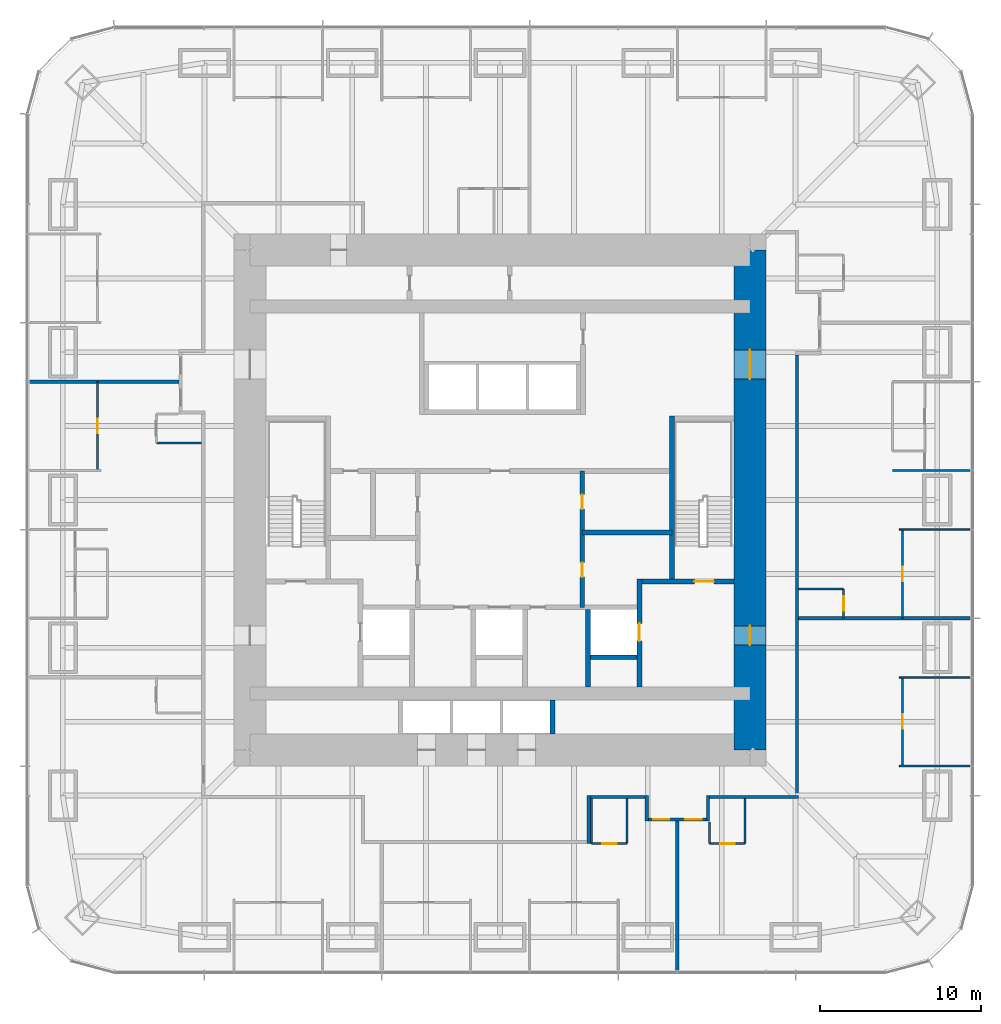
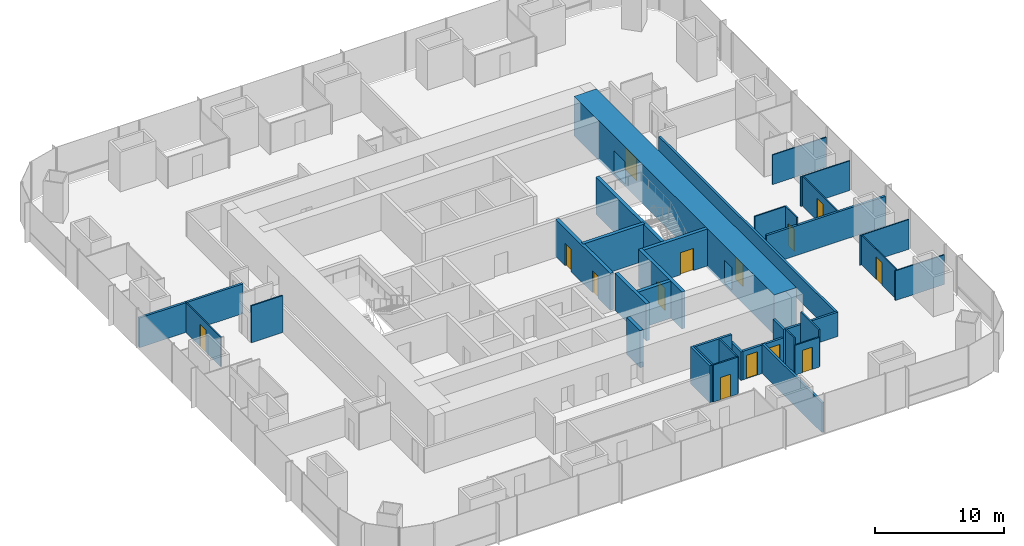
# One storey, part 10 of 13: 35 walls, 14 doors, 14 openings.
"""IFC4 building model written with IfcOpenShell, lengths in metres."""

from ifc_helpers import new_model, si_unit, direction, frame, frame_2d, origin, place, context, subcontext, project, spatial, rectangle, extrude, material, layer, layer_set, type_object, element, fill, save


model = new_model("IFC4")

# Units and contexts
model_context = context("Model", 3, precision=1e-05, world=origin(), true_north=direction((0.0, 1.0)))
body_context = subcontext(model_context, "Body", "Model", "MODEL_VIEW")
ifc_project = project(units=[si_unit("LENGTHUNIT", "METRE"), si_unit("AREAUNIT", "SQUARE_METRE"), si_unit("VOLUMEUNIT", "CUBIC_METRE"), si_unit("PLANEANGLEUNIT", "RADIAN"), si_unit("MASSUNIT", "GRAM", prefix="KILO")], contexts=[model_context])

# Site, building, storey
site_placement = place(None, origin())
site = spatial("IfcSite", under=ifc_project, at=site_placement, CompositionType="ELEMENT")
building_placement = place(site_placement, origin())
building = spatial("IfcBuilding", under=site, at=building_placement, Name="Khuree Lantern Residences", CompositionType="ELEMENT")
storey_placement = place(building_placement, frame((0.0, 0.0, 118.5)))
storey = spatial("IfcBuildingStorey", under=building, at=storey_placement, Name="L29", CompositionType="ELEMENT", Elevation=118.5)

# Wall, opening, door
ifc_material_1 = material(Name="Moisture-resistant gypsum board on steel studs", Category="steel")
ifc_layer_1 = layer(ifc_material_1, 0.125)
ifc_layer_set_1 = layer_set([ifc_layer_1], Name="BATHROOM WALL BTW125")
wall_type_1 = type_object("IfcWallType", Name="BATHROOM WALL BTW125", PredefinedType="PARTITIONING", material=ifc_layer_set_1)
wall_1_placement = place(storey_placement, frame((21.300048828125, -7.327880859375, 0.0), z_axis=(0.0, 0.0, 1.0), x_axis=(0.0, 1.0, 0.0)))
wall_1 = element("IfcWall", 1, at=wall_1_placement, inside=storey, type_object=wall_type_1, Name="L29 BATHROOM WALL 01", PredefinedType="PARTITIONING", context=body_context, shape_type="SweptSolid", body=[
    extrude(rectangle(XDim=1.7998046875, YDim=0.125, at=frame_2d((0.89990234375, 0.0))), origin(), (0.0, 0.0, 1.0), 3.5),
])
opening_1_placement = place(wall_1_placement, frame((0.449951171875, 0.0, 0.0)))
opening_1 = element("IfcOpeningElement", 2, at=opening_1_placement, cuts=wall_1, Name="Opening 29-028", PredefinedType="OPENING", context=body_context, shape_type="SweptSolid", body=[
    extrude(rectangle(XDim=0.89990234375, YDim=2.10009765625, at=frame_2d((0.449951171875, 1.050048828125))), frame((0.0, 0.072509765625, 0.0), z_axis=(0.0, -1.0, 0.0), x_axis=(1.0, 0.0, 0.0)), (0.0, 0.0, 1.0), 0.14501953125),
])
ifc_material_2 = material(Name="Timber door leaf in hardwood frame", Category="wood")
door_type_1 = type_object("IfcDoorType", Name="BATHROOM DOOR 900X2100", OperationType="SINGLE_SWING_LEFT", PredefinedType="DOOR", material=ifc_material_2)
door_1_placement = place(opening_1_placement, origin())
door_1 = element("IfcDoor", 3, at=door_1_placement, inside=storey, type_object=door_type_1, Name="Bathroom door 29-028", OperationType="SINGLE_SWING_LEFT", OverallHeight=2.10009765625, OverallWidth=0.89990234375, PredefinedType="DOOR", context=body_context, shape_type="SweptSolid", body=[
    extrude(rectangle(XDim=0.89990234375, YDim=2.10009765625, at=frame_2d((0.449951171875, 1.050048828125))), frame((0.0, 0.02490234375, 0.0), z_axis=(0.0, -1.0, 0.0), x_axis=(1.0, 0.0, 0.0)), (0.0, 0.0, 1.0), 0.050048828125),
])
fill(opening_1, door_1)

# Walls
for number, where, z_axis, x_axis, name in (
    (4, (18.5, -5.528076171875, 0.0), (0.0, 0.0, 1.0), (1.0, 0.0, 0.0), "L29 BATHROOM WALL 01"),
    (5, (-18.5, 3.528076171875, 0.0), (0.0, 0.0, 1.0), (-1.0, 0.0, 0.0), "L29 BATHROOM WALL 04"),
):
    element("IfcWall", number, at=place(storey_placement, frame(where, z_axis=z_axis, x_axis=x_axis)), inside=storey, type_object=wall_type_1, Name=name, PredefinedType="PARTITIONING", context=body_context, shape_type="SweptSolid", body=[
        extrude(rectangle(XDim=2.800048828125, YDim=0.125, at=frame_2d((1.39990234375, 0.0))), origin(), (0.0, 0.0, 1.0), 3.5),
    ])

# Wall, opening, door
wall_2_placement = place(storey_placement, frame((5.68359375, -21.300048828125, 0.0), z_axis=(0.0, 0.0, 1.0), x_axis=(1.0, 0.0, 0.0)))
wall_2 = element("IfcWall", 6, at=wall_2_placement, inside=storey, type_object=wall_type_1, Name="L29 BATHROOM WALL 06", PredefinedType="PARTITIONING", context=body_context, shape_type="SweptSolid", body=[
    extrude(rectangle(XDim=2.199951171875, YDim=0.125, at=frame_2d((1.10009765625, 0.0))), origin(), (0.0, 0.0, 1.0), 3.5),
])
opening_2_placement = place(wall_2_placement, frame((0.64990234375, 0.0, 0.0)))
opening_2 = element("IfcOpeningElement", 7, at=opening_2_placement, cuts=wall_2, Name="Opening 29-049", PredefinedType="OPENING", context=body_context, shape_type="SweptSolid", body=[
    extrude(rectangle(XDim=0.89990234375, YDim=2.10009765625, at=frame_2d((0.449951171875, 1.050048828125))), frame((0.0, 0.072509765625, 0.0), z_axis=(0.0, -1.0, 0.0), x_axis=(1.0, 0.0, 0.0)), (0.0, 0.0, 1.0), 0.14501953125),
])
door_2_placement = place(opening_2_placement, origin())
door_2 = element("IfcDoor", 8, at=door_2_placement, inside=storey, type_object=door_type_1, Name="Bathroom door 29-049", OperationType="SINGLE_SWING_LEFT", OverallHeight=2.10009765625, OverallWidth=0.89990234375, PredefinedType="DOOR", context=body_context, shape_type="SweptSolid", body=[
    extrude(rectangle(XDim=0.89990234375, YDim=2.10009765625, at=frame_2d((0.449951171875, 1.050048828125))), frame((0.0, 0.02490234375, 0.0), z_axis=(0.0, -1.0, 0.0), x_axis=(1.0, 0.0, 0.0)), (0.0, 0.0, 1.0), 0.050048828125),
])
fill(opening_2, door_2)

# Walls
for number, where, z_axis, x_axis, name in (
    (9, (5.68359375, -18.5, 0.0), (0.0, 0.0, 1.0), (0.0, -1.0, 0.0), "L29 BATHROOM WALL 06"),
    (10, (7.883544921875, -18.5, 0.0), (0.0, 0.0, 1.0), (0.0, -1.0, 0.0), "L29 BATHROOM WALL 06"),
):
    element("IfcWall", number, at=place(storey_placement, frame(where, z_axis=z_axis, x_axis=x_axis)), inside=storey, type_object=wall_type_1, Name=name, PredefinedType="PARTITIONING", context=body_context, shape_type="SweptSolid", body=[
        extrude(rectangle(XDim=2.800048828125, YDim=0.125, at=frame_2d((1.39990234375, 0.0))), origin(), (0.0, 0.0, 1.0), 3.5),
    ])

# Wall, opening, door
wall_3_placement = place(storey_placement, frame((12.991943359375, -21.300048828125, 0.0), z_axis=(0.0, 0.0, 1.0), x_axis=(1.0, 0.0, 0.0)))
wall_3 = element("IfcWall", 11, at=wall_3_placement, inside=storey, type_object=wall_type_1, Name="L29 BATHROOM WALL 07", PredefinedType="PARTITIONING", context=body_context, shape_type="SweptSolid", body=[
    extrude(rectangle(XDim=2.199951171875, YDim=0.125, at=frame_2d((1.10009765625, 0.0))), origin(), (0.0, 0.0, 1.0), 2.81005859375),
])
opening_3_placement = place(wall_3_placement, frame((0.64990234375, 0.0, 0.0)))
opening_3 = element("IfcOpeningElement", 12, at=opening_3_placement, cuts=wall_3, Name="Opening 29-052", PredefinedType="OPENING", context=body_context, shape_type="SweptSolid", body=[
    extrude(rectangle(XDim=0.89990234375, YDim=2.10009765625, at=frame_2d((0.449951171875, 1.050048828125))), frame((0.0, 0.072509765625, 0.0), z_axis=(0.0, -1.0, 0.0), x_axis=(1.0, 0.0, 0.0)), (0.0, 0.0, 1.0), 0.14501953125),
])
door_3_placement = place(opening_3_placement, origin())
door_3 = element("IfcDoor", 13, at=door_3_placement, inside=storey, type_object=door_type_1, Name="Bathroom door 29-052", OperationType="SINGLE_SWING_LEFT", OverallHeight=2.10009765625, OverallWidth=0.89990234375, PredefinedType="DOOR", context=body_context, shape_type="SweptSolid", body=[
    extrude(rectangle(XDim=0.89990234375, YDim=2.10009765625, at=frame_2d((0.449951171875, 1.050048828125))), frame((0.0, 0.02490234375, 0.0), z_axis=(0.0, -1.0, 0.0), x_axis=(1.0, 0.0, 0.0)), (0.0, 0.0, 1.0), 0.050048828125),
])
fill(opening_3, door_3)

# Walls
wall_4_placement = place(storey_placement, frame((12.991943359375, -19.969970703125, 0.0), z_axis=(0.0, 0.0, 1.0), x_axis=(0.0, -1.0, 0.0)))
element("IfcWall", 14, at=wall_4_placement, inside=storey, type_object=wall_type_1, Name="L29 BATHROOM WALL 07", PredefinedType="PARTITIONING", context=body_context, shape_type="SweptSolid", body=[
    extrude(rectangle(XDim=1.330078125, YDim=0.125, at=frame_2d((0.6650390625, 0.0))), origin(), (0.0, 0.0, 1.0), 3.5),
])
wall_5_placement = place(storey_placement, frame((15.19189453125, -18.5, 0.0), z_axis=(0.0, 0.0, 1.0), x_axis=(0.0, -1.0, 0.0)))
element("IfcWall", 15, at=wall_5_placement, inside=storey, type_object=wall_type_1, Name="L29 BATHROOM WALL 07", PredefinedType="PARTITIONING", context=body_context, shape_type="SweptSolid", body=[
    extrude(rectangle(XDim=2.800048828125, YDim=0.125, at=frame_2d((1.39990234375, 0.0))), origin(), (0.0, 0.0, 1.0), 3.5),
])

# Wall, opening, door
ifc_material_3 = material(Name="Dense concrete blockwork", Category="masonry")
ifc_layer_2 = layer(ifc_material_3, 0.300048828125)
ifc_layer_set_2 = layer_set([ifc_layer_2], Name="CORE PARTITION WALL CPW300 EI 120")
wall_type_2 = type_object("IfcWallType", Name="CORE PARTITION WALL CPW300 EI 120", PredefinedType="PARTITIONING", material=ifc_layer_set_2)
wall_6_placement = place(storey_placement, frame((8.64990234375, -11.60009765625, 0.0), z_axis=(0.0, 0.0, 1.0), x_axis=(0.0, 1.0, 0.0)))
wall_6 = element("IfcWall", 16, at=wall_6_placement, inside=storey, type_object=wall_type_2, Name="L29 CORE WALL FL2E", PredefinedType="PARTITIONING", context=body_context, shape_type="SweptSolid", body=[
    extrude(rectangle(XDim=6.7001953125, YDim=0.300048828125, at=frame_2d((3.35009765625, 0.0))), origin(), (0.0, 0.0, 1.0), 3.5),
])
opening_4_placement = place(wall_6_placement, frame((2.85009765625, 0.0, 0.0)))
opening_4 = element("IfcOpeningElement", 17, at=opening_4_placement, cuts=wall_6, Name="Opening 29-008", PredefinedType="OPENING", context=body_context, shape_type="SweptSolid", body=[
    extrude(rectangle(XDim=1.10009765625, YDim=2.10009765625, at=frame_2d((0.550048828125, 1.050048828125))), frame((0.0, 0.16015625, 0.0), z_axis=(0.0, -1.0, 0.0), x_axis=(1.0, 0.0, 0.0)), (0.0, 0.0, 1.0), 0.320068359375),
])
ifc_material_4 = material(Name="Stainless steel lift landing door", Category="steel")
door_type_2 = type_object("IfcDoorType", Name="LIFT LANDING DOOR 1100X2100 E 120", OperationType="DOUBLE_DOOR_SLIDING", PredefinedType="DOOR", material=ifc_material_4)
door_4_placement = place(opening_4_placement, origin())
door_4 = element("IfcDoor", 18, at=door_4_placement, inside=storey, type_object=door_type_2, Name="Landing door FL2 29-008", OperationType="DOUBLE_DOOR_SLIDING", OverallHeight=2.10009765625, OverallWidth=1.10009765625, PredefinedType="DOOR", context=body_context, shape_type="SweptSolid", body=[
    extrude(rectangle(XDim=1.10009765625, YDim=2.10009765625, at=frame_2d((0.550048828125, 1.050048828125))), frame((0.0, 0.02490234375, 0.0), z_axis=(0.0, -1.0, 0.0), x_axis=(1.0, 0.0, 0.0)), (0.0, 0.0, 1.0), 0.050048828125),
])
fill(opening_4, door_4)

# Walls
wall_7_placement = place(storey_placement, frame((5.449951171875, -11.60009765625, 0.0), z_axis=(0.0, 0.0, 1.0), x_axis=(0.0, 1.0, 0.0)))
element("IfcWall", 19, at=wall_7_placement, inside=storey, type_object=wall_type_2, Name="L29 CORE WALL FL2W", PredefinedType="PARTITIONING", context=body_context, shape_type="SweptSolid", body=[
    extrude(rectangle(XDim=4.800048828125, YDim=0.300048828125, at=frame_2d((2.39990234375, 0.0))), origin(), (0.0, 0.0, 1.0), 3.5),
])
wall_8_placement = place(storey_placement, frame((5.60009765625, -9.75, 0.0), z_axis=(0.0, 0.0, 1.0), x_axis=(1.0, 0.0, 0.0)))
element("IfcWall", 20, at=wall_8_placement, inside=storey, type_object=wall_type_2, Name="L29 CORE WALL FL2S", PredefinedType="PARTITIONING", context=body_context, shape_type="SweptSolid", body=[
    extrude(rectangle(XDim=2.89990234375, YDim=0.300048828125, at=frame_2d((1.449951171875, 0.0))), origin(), (0.0, 0.0, 1.0), 3.5),
])
wall_9_placement = place(storey_placement, frame((3.25, -14.5, 0.0), z_axis=(0.0, 0.0, 1.0), x_axis=(0.0, 1.0, 0.0)))
element("IfcWall", 21, at=wall_9_placement, inside=storey, type_object=wall_type_2, Name="L29 CORE WALL PME", PredefinedType="PARTITIONING", context=body_context, shape_type="SweptSolid", body=[
    extrude(rectangle(XDim=2.10009765625, YDim=0.300048828125, at=frame_2d((1.050048828125, 0.0))), origin(), (0.0, 0.0, 1.0), 3.5),
])

# Wall, openings, doors
wall_10_placement = place(storey_placement, frame((5.10009765625, -6.64990234375, 0.0), z_axis=(0.0, 0.0, 1.0), x_axis=(0.0, 1.0, 0.0)))
wall_10 = element("IfcWall", 22, at=wall_10_placement, inside=storey, type_object=wall_type_2, Name="L29 CORE WALL SVE", PredefinedType="PARTITIONING", context=body_context, shape_type="SweptSolid", body=[
    extrude(rectangle(XDim=8.449951171875, YDim=0.300048828125, at=frame_2d((4.22509765625, 0.0))), origin(), (0.0, 0.0, 1.0), 3.5),
])
opening_5_placement = place(wall_10_placement, frame((1.865966796875, 0.0, 0.0)))
opening_5 = element("IfcOpeningElement", 23, at=opening_5_placement, cuts=wall_10, Name="Opening 29-019", PredefinedType="OPENING", context=body_context, shape_type="SweptSolid", body=[
    extrude(rectangle(XDim=0.89990234375, YDim=2.10009765625, at=frame_2d((0.449951171875, 1.050048828125))), frame((0.0, 0.16015625, 0.0), z_axis=(0.0, -1.0, 0.0), x_axis=(1.0, 0.0, 0.0)), (0.0, 0.0, 1.0), 0.320068359375),
])
opening_6_placement = place(wall_10_placement, frame((6.091064453125, 0.0, 0.0)))
opening_6 = element("IfcOpeningElement", 24, at=opening_6_placement, cuts=wall_10, Name="Opening 29-020", PredefinedType="OPENING", context=body_context, shape_type="SweptSolid", body=[
    extrude(rectangle(XDim=0.89990234375, YDim=2.10009765625, at=frame_2d((0.449951171875, 1.050048828125))), frame((0.0, 0.16015625, 0.0), z_axis=(0.0, -1.0, 0.0), x_axis=(1.0, 0.0, 0.0)), (0.0, 0.0, 1.0), 0.320068359375),
])
door_type_3 = type_object("IfcDoorType", Name="DOOR 900X2100", OperationType="SINGLE_SWING_LEFT", PredefinedType="DOOR", material=ifc_material_2)
door_5_placement = place(opening_5_placement, origin())
door_5 = element("IfcDoor", 25, at=door_5_placement, inside=storey, type_object=door_type_3, Name="Parcel room door 29-019", OperationType="SINGLE_SWING_LEFT", OverallHeight=2.10009765625, OverallWidth=0.89990234375, PredefinedType="DOOR", context=body_context, shape_type="SweptSolid", body=[
    extrude(rectangle(XDim=0.89990234375, YDim=2.10009765625, at=frame_2d((0.449951171875, 1.050048828125))), frame((0.0, 0.02490234375, 0.0), z_axis=(0.0, -1.0, 0.0), x_axis=(1.0, 0.0, 0.0)), (0.0, 0.0, 1.0), 0.050048828125),
])
fill(opening_5, door_5)
door_type_4 = type_object("IfcDoorType", Name="DOOR 900X2100 RIGHT HAND", OperationType="SINGLE_SWING_RIGHT", PredefinedType="DOOR", material=ifc_material_2)
door_6_placement = place(opening_6_placement, origin())
door_6 = element("IfcDoor", 26, at=door_6_placement, inside=storey, type_object=door_type_4, Name="Bulky waste store door 29-020", OperationType="SINGLE_SWING_RIGHT", OverallHeight=2.10009765625, OverallWidth=0.89990234375, PredefinedType="DOOR", context=body_context, shape_type="SweptSolid", body=[
    extrude(rectangle(XDim=0.89990234375, YDim=2.10009765625, at=frame_2d((0.449951171875, 1.050048828125))), frame((0.0, 0.02490234375, 0.0), z_axis=(0.0, -1.0, 0.0), x_axis=(1.0, 0.0, 0.0)), (0.0, 0.0, 1.0), 0.050048828125),
])
fill(opening_6, door_6)

# Walls
wall_11_placement = place(storey_placement, frame((10.64990234375, -2.01806640625, 0.0), z_axis=(0.0, 0.0, 1.0), x_axis=(-1.0, 0.0, 0.0)))
element("IfcWall", 27, at=wall_11_placement, inside=storey, type_object=wall_type_2, Name="L29 CORE WALL EX", PredefinedType="PARTITIONING", context=body_context, shape_type="SweptSolid", body=[
    extrude(rectangle(XDim=5.5498046875, YDim=0.300048828125, at=frame_2d((2.77490234375, 0.0))), origin(), (0.0, 0.0, 1.0), 3.5),
])
ifc_material_5 = material(Name="Gypsum board on steel studs", Category="steel")
ifc_layer_3 = layer(ifc_material_5, 0.199951171875)
ifc_layer_set_3 = layer_set([ifc_layer_3], Name="CORRIDOR WALL CRW200 EI 60")
wall_type_3 = type_object("IfcWallType", Name="CORRIDOR WALL CRW200 EI 60", PredefinedType="PARTITIONING", material=ifc_layer_set_3)
wall_12_placement = place(storey_placement, frame((18.39990234375, -18.300048828125, 0.0), z_axis=(0.0, 0.0, 1.0), x_axis=(0.0, 1.0, 0.0)))
element("IfcWall", 28, at=wall_12_placement, inside=storey, type_object=wall_type_3, Name="L29 CORRIDOR WALL EAST 1", PredefinedType="PARTITIONING", context=body_context, shape_type="SweptSolid", body=[
    extrude(rectangle(XDim=27.2919921875, YDim=0.199951171875, at=frame_2d((13.64599609375, 0.0))), origin(), (0.0, 0.0, 1.0), 2.300048828125),
])
wall_13_placement = place(storey_placement, frame((18.5, -18.39990234375, 0.0), z_axis=(0.0, 0.0, 1.0), x_axis=(-1.0, 0.0, 0.0)))
element("IfcWall", 29, at=wall_13_placement, inside=storey, type_object=wall_type_3, Name="L29 CORRIDOR WALL SOUTH 1", PredefinedType="PARTITIONING", context=body_context, shape_type="SweptSolid", body=[
    extrude(rectangle(XDim=5.508056640625, YDim=0.199951171875, at=frame_2d((2.75390625, 0.0))), origin(), (0.0, 0.0, 1.0), 2.300048828125),
])
wall_14_placement = place(storey_placement, frame((12.89208984375, -18.300048828125, 0.0), z_axis=(0.0, 0.0, 1.0), x_axis=(0.0, -1.0, 0.0)))
element("IfcWall", 30, at=wall_14_placement, inside=storey, type_object=wall_type_3, Name="L29 CORRIDOR ALCOVE WALL SOUTH", PredefinedType="PARTITIONING", context=body_context, shape_type="SweptSolid", body=[
    extrude(rectangle(XDim=1.599853515625, YDim=0.199951171875, at=frame_2d((0.7998046875, 0.0))), origin(), (0.0, 0.0, 1.0), 3.5),
])
wall_15_placement = place(storey_placement, frame((9.092041015625, -18.300048828125, 0.0), z_axis=(0.0, 0.0, 1.0), x_axis=(0.0, -1.0, 0.0)))
element("IfcWall", 31, at=wall_15_placement, inside=storey, type_object=wall_type_3, Name="L29 CORRIDOR ALCOVE WALL SOUTH", PredefinedType="PARTITIONING", context=body_context, shape_type="SweptSolid", body=[
    extrude(rectangle(XDim=1.599853515625, YDim=0.199951171875, at=frame_2d((0.7998046875, 0.0))), origin(), (0.0, 0.0, 1.0), 2.699951171875),
])

# Wall, openings, doors
wall_16_placement = place(storey_placement, frame((12.7919921875, -19.800048828125, 0.0), z_axis=(0.0, 0.0, 1.0), x_axis=(-1.0, 0.0, 0.0)))
wall_16 = element("IfcWall", 32, at=wall_16_placement, inside=storey, type_object=wall_type_3, Name="L29 CORRIDOR ALCOVE WALL SOUTH", PredefinedType="PARTITIONING", context=body_context, shape_type="SweptSolid", body=[
    extrude(rectangle(XDim=3.60009765625, YDim=0.199951171875, at=frame_2d((1.800048828125, 0.0))), origin(), (0.0, 0.0, 1.0), 2.699951171875),
])
opening_7_placement = place(wall_16_placement, frame((2.300048828125, 0.0, 0.0)))
opening_7 = element("IfcOpeningElement", 33, at=opening_7_placement, cuts=wall_16, Name="Opening 29-050", PredefinedType="OPENING", context=body_context, shape_type="SweptSolid", body=[
    extrude(rectangle(XDim=1.0, YDim=2.199951171875, at=frame_2d((0.5, 1.10009765625))), frame((0.0, 0.10986328125, 0.0), z_axis=(0.0, -1.0, 0.0), x_axis=(1.0, 0.0, 0.0)), (0.0, 0.0, 1.0), 0.219970703125),
])
opening_8_placement = place(wall_16_placement, frame((0.300048828125, 0.0, 0.0)))
opening_8 = element("IfcOpeningElement", 34, at=opening_8_placement, cuts=wall_16, Name="Opening 29-053", PredefinedType="OPENING", context=body_context, shape_type="SweptSolid", body=[
    extrude(rectangle(XDim=1.0, YDim=2.199951171875, at=frame_2d((0.5, 1.10009765625))), frame((0.0, 0.10986328125, 0.0), z_axis=(0.0, -1.0, 0.0), x_axis=(1.0, 0.0, 0.0)), (0.0, 0.0, 1.0), 0.219970703125),
])
door_type_5 = type_object("IfcDoorType", Name="APARTMENT ENTRANCE DOOR 1000X2200 EI 30S", OperationType="SINGLE_SWING_LEFT", PredefinedType="DOOR", material=ifc_material_2)
door_7_placement = place(opening_7_placement, origin())
door_7 = element("IfcDoor", 35, at=door_7_placement, inside=storey, type_object=door_type_5, Name="Apartment 06 entrance door 29-050", OperationType="SINGLE_SWING_LEFT", OverallHeight=2.199951171875, OverallWidth=1.0, PredefinedType="DOOR", context=body_context, shape_type="SweptSolid", body=[
    extrude(rectangle(XDim=1.0, YDim=2.199951171875, at=frame_2d((0.5, 1.10009765625))), frame((0.0, 0.02490234375, 0.0), z_axis=(0.0, -1.0, 0.0), x_axis=(1.0, 0.0, 0.0)), (0.0, 0.0, 1.0), 0.050048828125),
])
fill(opening_7, door_7)
door_8_placement = place(opening_8_placement, origin())
door_8 = element("IfcDoor", 36, at=door_8_placement, inside=storey, type_object=door_type_5, Name="Apartment 07 entrance door 29-053", OperationType="SINGLE_SWING_LEFT", OverallHeight=2.199951171875, OverallWidth=1.0, PredefinedType="DOOR", context=body_context, shape_type="SweptSolid", body=[
    extrude(rectangle(XDim=1.0, YDim=2.199951171875, at=frame_2d((0.5, 1.10009765625))), frame((0.0, 0.02490234375, 0.0), z_axis=(0.0, -1.0, 0.0), x_axis=(1.0, 0.0, 0.0)), (0.0, 0.0, 1.0), 0.050048828125),
])
fill(opening_8, door_8)

# Walls
wall_17_placement = place(storey_placement, frame((8.991943359375, -18.39990234375, 0.0), z_axis=(0.0, 0.0, 1.0), x_axis=(-1.0, 0.0, 0.0)))
element("IfcWall", 37, at=wall_17_placement, inside=storey, type_object=wall_type_3, Name="L29 CORRIDOR WALL SOUTH 2", PredefinedType="PARTITIONING", context=body_context, shape_type="SweptSolid", body=[
    extrude(rectangle(XDim=3.391845703125, YDim=0.199951171875, at=frame_2d((1.69580078125, 0.0))), origin(), (0.0, 0.0, 1.0), 3.5),
])
wall_18_placement = place(storey_placement, frame((5.5, -18.300048828125, 0.0), z_axis=(0.0, 0.0, 1.0), x_axis=(0.0, -1.0, 0.0)))
element("IfcWall", 38, at=wall_18_placement, inside=storey, type_object=wall_type_3, Name="L29 LIFT LOBBY WALL", PredefinedType="PARTITIONING", context=body_context, shape_type="SweptSolid", body=[
    extrude(rectangle(XDim=3.0, YDim=0.199951171875, at=frame_2d((1.5, 0.0))), origin(), (0.0, 0.0, 1.0), 3.5),
])

# Wall, openings, doors
ifc_material_6 = material(Name="Concrete C70/85", Category="concrete")
ifc_layer_4 = layer(ifc_material_6, 2.0)
ifc_layer_set_4 = layer_set([ifc_layer_4], Name="CW2000-C70 CORE WALL C70 2000")
wall_type_4 = type_object("IfcWallType", Name="CW2000-C70 CORE WALL C70 2000", PredefinedType="SHEAR", material=ifc_layer_set_4)
wall_19_placement = place(storey_placement, frame((15.5, -15.5, -0.25), z_axis=(0.0, 0.0, 1.0), x_axis=(0.0, 1.0, 0.0)))
wall_19 = element("IfcWall", 39, at=wall_19_placement, inside=storey, type_object=wall_type_4, Name="Core wall E", PredefinedType="SHEAR", context=body_context, shape_type="SweptSolid", body=[
    extrude(rectangle(XDim=31.0, YDim=2.0, at=frame_2d((15.5, 0.0))), origin(), (0.0, 0.0, 1.0), 3.75),
])
opening_9_placement = place(wall_19_placement, frame((6.5, 0.0, 0.25)))
opening_9 = element("IfcOpeningElement", 40, at=opening_9_placement, cuts=wall_19, Name="Opening 29-005", PredefinedType="OPENING", context=body_context, shape_type="SweptSolid", body=[
    extrude(rectangle(XDim=1.199951171875, YDim=2.10009765625, at=frame_2d((0.60009765625, 1.050048828125))), frame((0.0, 1.010009765625, 0.0), z_axis=(0.0, -1.0, 0.0), x_axis=(1.0, 0.0, 0.0)), (0.0, 0.0, 1.0), 2.02001953125),
])
opening_10_placement = place(wall_19_placement, frame((23.0, 0.0, 0.25)))
opening_10 = element("IfcOpeningElement", 41, at=opening_10_placement, cuts=wall_19, Name="Opening 29-006", PredefinedType="OPENING", context=body_context, shape_type="SweptSolid", body=[
    extrude(rectangle(XDim=1.800048828125, YDim=2.10009765625, at=frame_2d((0.89990234375, 1.050048828125))), frame((0.0, 1.010009765625, 0.0), z_axis=(0.0, -1.0, 0.0), x_axis=(1.0, 0.0, 0.0)), (0.0, 0.0, 1.0), 2.02001953125),
])
ifc_material_7 = material(Name="Steel door leaf in steel frame", Category="steel")
door_type_6 = type_object("IfcDoorType", Name="LOBBY DOOR 1200X2100 EI 120", OperationType="SINGLE_SWING_LEFT", PredefinedType="DOOR", material=ifc_material_7)
door_9_placement = place(opening_9_placement, origin())
door_9 = element("IfcDoor", 42, at=door_9_placement, inside=storey, type_object=door_type_6, Name="Firefighting lobby door 29-005", OperationType="SINGLE_SWING_LEFT", OverallHeight=2.10009765625, OverallWidth=1.199951171875, PredefinedType="DOOR", context=body_context, shape_type="SweptSolid", body=[
    extrude(rectangle(XDim=1.199951171875, YDim=2.10009765625, at=frame_2d((0.60009765625, 1.050048828125))), frame((0.0, 0.02490234375, 0.0), z_axis=(0.0, -1.0, 0.0), x_axis=(1.0, 0.0, 0.0)), (0.0, 0.0, 1.0), 0.050048828125),
])
fill(opening_9, door_9)
door_type_7 = type_object("IfcDoorType", Name="LOBBY DOUBLE DOOR 1800X2100 EI 60", OperationType="DOUBLE_DOOR_SINGLE_SWING", PredefinedType="DOOR", material=ifc_material_7)
door_10_placement = place(opening_10_placement, origin())
door_10 = element("IfcDoor", 43, at=door_10_placement, inside=storey, type_object=door_type_7, Name="Lift lobby door 29-006", OperationType="DOUBLE_DOOR_SINGLE_SWING", OverallHeight=2.10009765625, OverallWidth=1.800048828125, PredefinedType="DOOR", context=body_context, shape_type="SweptSolid", body=[
    extrude(rectangle(XDim=1.800048828125, YDim=2.10009765625, at=frame_2d((0.89990234375, 1.050048828125))), frame((0.0, 0.02490234375, 0.0), z_axis=(0.0, -1.0, 0.0), x_axis=(1.0, 0.0, 0.0)), (0.0, 0.0, 1.0), 0.050048828125),
])
fill(opening_10, door_10)

# Walls
ifc_layer_5 = layer(ifc_material_5, 0.199951171875)
ifc_layer_set_5 = layer_set([ifc_layer_5], Name="DEMISING WALL DMW200 EI 90")
wall_type_5 = type_object("IfcWallType", Name="DEMISING WALL DMW200 EI 90", PredefinedType="PARTITIONING", material=ifc_layer_set_5)
wall_20_placement = place(storey_placement, frame((18.5, -7.327880859375, 0.0), z_axis=(0.0, 0.0, 1.0), x_axis=(1.0, 0.0, 0.0)))
element("IfcWall", 44, at=wall_20_placement, inside=storey, type_object=wall_type_5, Name="L29 DEMISING WALL 01", PredefinedType="PARTITIONING", context=body_context, shape_type="SweptSolid", body=[
    extrude(rectangle(XDim=10.64990234375, YDim=0.199951171875, at=frame_2d((5.324951171875, 0.0))), origin(), (0.0, 0.0, 1.0), 2.81005859375),
])
for number, where, z_axis, x_axis, name in (
    (45, (-19.89990234375, 7.327880859375, 0.0), (0.0, 0.0, 1.0), (-1.0, 0.0, 0.0), "L29 DEMISING WALL 04"),
    (46, (10.991943359375, -19.89990234375, 0.0), (0.0, 0.0, 1.0), (0.0, -1.0, 0.0), "L29 DEMISING WALL 07"),
):
    element("IfcWall", number, at=place(storey_placement, frame(where, z_axis=z_axis, x_axis=x_axis)), inside=storey, type_object=wall_type_5, Name=name, PredefinedType="PARTITIONING", context=body_context, shape_type="SweptSolid", body=[
        extrude(rectangle(XDim=9.25, YDim=0.199951171875, at=frame_2d((4.625, 0.0))), origin(), (0.0, 0.0, 1.0), 2.81005859375),
    ])
ifc_layer_6 = layer(ifc_material_5, 0.10009765625)
ifc_layer_set_6 = layer_set([ifc_layer_6], Name="PARTITION PT100")
wall_type_6 = type_object("IfcWallType", Name="PARTITION PT100", PredefinedType="PARTITIONING", material=ifc_layer_set_6)
wall_21_placement = place(storey_placement, frame((24.75, -1.83203125, 0.0), z_axis=(0.0, 0.0, 1.0), x_axis=(1.0, 0.0, 0.0)))
element("IfcWall", 47, at=wall_21_placement, inside=storey, type_object=wall_type_6, Name="L29 PARTITION 01", PredefinedType="PARTITIONING", context=body_context, shape_type="SweptSolid", body=[
    extrude(rectangle(XDim=4.39990234375, YDim=0.10009765625, at=frame_2d((2.199951171875, 0.0))), origin(), (0.0, 0.0, 1.0), 2.81005859375),
])
wall_22_placement = place(storey_placement, frame((24.329833984375, 1.83203125, 0.0), z_axis=(0.0, 0.0, 1.0), x_axis=(1.0, 0.0, 0.0)))
element("IfcWall", 48, at=wall_22_placement, inside=storey, type_object=wall_type_6, Name="L29 PARTITION 01", PredefinedType="PARTITIONING", context=body_context, shape_type="SweptSolid", body=[
    extrude(rectangle(XDim=4.820068359375, YDim=0.10009765625, at=frame_2d((2.41015625, 0.0))), origin(), (0.0, 0.0, 1.0), 2.81005859375),
])
for number, where, z_axis, x_axis, name in (
    (49, (24.75, -16.488037109375, 0.0), (0.0, 0.0, 1.0), (1.0, 0.0, 0.0), "L29 PARTITION 07"),
    (50, (24.75, -10.991943359375, 0.0), (0.0, 0.0, 1.0), (1.0, 0.0, 0.0), "L29 PARTITION 07"),
):
    element("IfcWall", number, at=place(storey_placement, frame(where, z_axis=z_axis, x_axis=x_axis)), inside=storey, type_object=wall_type_6, Name=name, PredefinedType="PARTITIONING", context=body_context, shape_type="SweptSolid", body=[
        extrude(rectangle(XDim=4.39990234375, YDim=0.10009765625, at=frame_2d((2.199951171875, 0.0))), origin(), (0.0, 0.0, 1.0), 2.81005859375),
    ])

# Wall, opening, door
wall_23_placement = place(storey_placement, frame((24.949951171875, -7.327880859375, 0.0), z_axis=(0.0, 0.0, 1.0), x_axis=(0.0, 1.0, 0.0)))
wall_23 = element("IfcWall", 51, at=wall_23_placement, inside=storey, type_object=wall_type_6, Name="L29 PARTITION 01", PredefinedType="PARTITIONING", context=body_context, shape_type="SweptSolid", body=[
    extrude(rectangle(XDim=5.495849609375, YDim=0.10009765625, at=frame_2d((2.748046875, 0.0))), origin(), (0.0, 0.0, 1.0), 2.81005859375),
])
opening_11_placement = place(wall_23_placement, frame((2.298095703125, 0.0, 0.0)))
opening_11 = element("IfcOpeningElement", 52, at=opening_11_placement, cuts=wall_23, Name="Opening 29-025", PredefinedType="OPENING", context=body_context, shape_type="SweptSolid", body=[
    extrude(rectangle(XDim=0.89990234375, YDim=2.10009765625, at=frame_2d((0.449951171875, 1.050048828125))), frame((0.0, 0.06005859375, 0.0), z_axis=(0.0, -1.0, 0.0), x_axis=(1.0, 0.0, 0.0)), (0.0, 0.0, 1.0), 0.1201171875),
])
door_type_8 = type_object("IfcDoorType", Name="BEDROOM DOOR 900X2100", OperationType="SINGLE_SWING_LEFT", PredefinedType="DOOR", material=ifc_material_2)
door_11_placement = place(opening_11_placement, origin())
door_11 = element("IfcDoor", 53, at=door_11_placement, inside=storey, type_object=door_type_8, Name="Bedroom door 29-025", OperationType="SINGLE_SWING_LEFT", OverallHeight=2.10009765625, OverallWidth=0.89990234375, PredefinedType="DOOR", context=body_context, shape_type="SweptSolid", body=[
    extrude(rectangle(XDim=0.89990234375, YDim=2.10009765625, at=frame_2d((0.449951171875, 1.050048828125))), frame((0.0, 0.02490234375, 0.0), z_axis=(0.0, -1.0, 0.0), x_axis=(1.0, 0.0, 0.0)), (0.0, 0.0, 1.0), 0.050048828125),
])
fill(opening_11, door_11)

wall_24_placement = place(storey_placement, frame((-24.949951171875, 7.327880859375, 0.0), z_axis=(0.0, 0.0, 1.0), x_axis=(0.0, -1.0, 0.0)))
wall_24 = element("IfcWall", 54, at=wall_24_placement, inside=storey, type_object=wall_type_6, Name="L29 PARTITION 04", PredefinedType="PARTITIONING", context=body_context, shape_type="SweptSolid", body=[
    extrude(rectangle(XDim=5.495849609375, YDim=0.10009765625, at=frame_2d((2.748046875, 0.0))), origin(), (0.0, 0.0, 1.0), 2.81005859375),
])
opening_12_placement = place(wall_24_placement, frame((2.298095703125, 0.0, 0.0)))
opening_12 = element("IfcOpeningElement", 55, at=opening_12_placement, cuts=wall_24, Name="Opening 29-039", PredefinedType="OPENING", context=body_context, shape_type="SweptSolid", body=[
    extrude(rectangle(XDim=0.89990234375, YDim=2.10009765625, at=frame_2d((0.449951171875, 1.050048828125))), frame((0.0, 0.06005859375, 0.0), z_axis=(0.0, -1.0, 0.0), x_axis=(1.0, 0.0, 0.0)), (0.0, 0.0, 1.0), 0.1201171875),
])
door_12_placement = place(opening_12_placement, origin())
door_12 = element("IfcDoor", 56, at=door_12_placement, inside=storey, type_object=door_type_8, Name="Bedroom door 29-039", OperationType="SINGLE_SWING_LEFT", OverallHeight=2.10009765625, OverallWidth=0.89990234375, PredefinedType="DOOR", context=body_context, shape_type="SweptSolid", body=[
    extrude(rectangle(XDim=0.89990234375, YDim=2.10009765625, at=frame_2d((0.449951171875, 1.050048828125))), frame((0.0, 0.02490234375, 0.0), z_axis=(0.0, -1.0, 0.0), x_axis=(1.0, 0.0, 0.0)), (0.0, 0.0, 1.0), 0.050048828125),
])
fill(opening_12, door_12)

wall_25_placement = place(storey_placement, frame((24.949951171875, -16.488037109375, 0.0), z_axis=(0.0, 0.0, 1.0), x_axis=(0.0, 1.0, 0.0)))
wall_25 = element("IfcWall", 57, at=wall_25_placement, inside=storey, type_object=wall_type_6, Name="L29 PARTITION 07", PredefinedType="PARTITIONING", context=body_context, shape_type="SweptSolid", body=[
    extrude(rectangle(XDim=5.49609375, YDim=0.10009765625, at=frame_2d((2.748046875, 0.0))), origin(), (0.0, 0.0, 1.0), 2.81005859375),
])
opening_13_placement = place(wall_25_placement, frame((2.298095703125, 0.0, 0.0)))
opening_13 = element("IfcOpeningElement", 58, at=opening_13_placement, cuts=wall_25, Name="Opening 29-051", PredefinedType="OPENING", context=body_context, shape_type="SweptSolid", body=[
    extrude(rectangle(XDim=0.89990234375, YDim=2.10009765625, at=frame_2d((0.449951171875, 1.050048828125))), frame((0.0, 0.06005859375, 0.0), z_axis=(0.0, -1.0, 0.0), x_axis=(1.0, 0.0, 0.0)), (0.0, 0.0, 1.0), 0.1201171875),
])
door_13_placement = place(opening_13_placement, origin())
door_13 = element("IfcDoor", 59, at=door_13_placement, inside=storey, type_object=door_type_8, Name="Bedroom door 29-051", OperationType="SINGLE_SWING_LEFT", OverallHeight=2.10009765625, OverallWidth=0.89990234375, PredefinedType="DOOR", context=body_context, shape_type="SweptSolid", body=[
    extrude(rectangle(XDim=0.89990234375, YDim=2.10009765625, at=frame_2d((0.449951171875, 1.050048828125))), frame((0.0, 0.02490234375, 0.0), z_axis=(0.0, -1.0, 0.0), x_axis=(1.0, 0.0, 0.0)), (0.0, 0.0, 1.0), 0.050048828125),
])
fill(opening_13, door_13)

# Wall
ifc_material_8 = material(Name="Concrete C50/60", Category="concrete")
ifc_layer_7 = layer(ifc_material_8, 0.300048828125)
ifc_layer_set_7 = layer_set([ifc_layer_7], Name="STAIR WALL SRW300 C50/60 REI 240")
wall_type_7 = type_object("IfcWallType", Name="STAIR WALL SRW300 C50/60 REI 240", PredefinedType="SOLIDWALL", material=ifc_layer_set_7)
wall_26_placement = place(storey_placement, frame((10.64990234375, -4.89990234375, 0.0), z_axis=(0.0, 0.0, 1.0), x_axis=(0.0, 1.0, 0.0)))
element("IfcWall", 60, at=wall_26_placement, inside=storey, type_object=wall_type_7, Name="L29 STAIR WALL ST2E", PredefinedType="SOLIDWALL", context=body_context, shape_type="SweptSolid", body=[
    extrude(rectangle(XDim=10.099853515625, YDim=0.300048828125, at=frame_2d((5.0498046875, 0.0))), origin(), (0.0, 0.0, 1.0), 3.5),
])

# Wall, opening, door
wall_27_placement = place(storey_placement, frame((14.5, -5.050048828125, 0.0), z_axis=(0.0, 0.0, 1.0), x_axis=(-1.0, 0.0, 0.0)))
wall_27 = element("IfcWall", 61, at=wall_27_placement, inside=storey, type_object=wall_type_7, Name="L29 STAIR WALL ST2S", PredefinedType="SOLIDWALL", context=body_context, shape_type="SweptSolid", body=[
    extrude(rectangle(XDim=5.699951171875, YDim=0.300048828125, at=frame_2d((2.85009765625, 0.0))), origin(), (0.0, 0.0, 1.0), 3.5),
])
opening_14_placement = place(wall_27_placement, frame((1.25, 0.0, 0.0)))
opening_14 = element("IfcOpeningElement", 62, at=opening_14_placement, cuts=wall_27, Name="Opening 29-004", PredefinedType="OPENING", context=body_context, shape_type="SweptSolid", body=[
    extrude(rectangle(XDim=1.199951171875, YDim=2.10009765625, at=frame_2d((0.60009765625, 1.050048828125))), frame((0.0, 0.16015625, 0.0), z_axis=(0.0, -1.0, 0.0), x_axis=(1.0, 0.0, 0.0)), (0.0, 0.0, 1.0), 0.320068359375),
])
door_type_9 = type_object("IfcDoorType", Name="STAIR DOOR 1200X2100 EI 120", OperationType="SINGLE_SWING_LEFT", PredefinedType="DOOR", material=ifc_material_7)
door_14_placement = place(opening_14_placement, origin())
door_14 = element("IfcDoor", 63, at=door_14_placement, inside=storey, type_object=door_type_9, Name="Stair ST2 door 29-004", OperationType="SINGLE_SWING_LEFT", OverallHeight=2.10009765625, OverallWidth=1.199951171875, PredefinedType="DOOR", context=body_context, shape_type="SweptSolid", body=[
    extrude(rectangle(XDim=1.199951171875, YDim=2.10009765625, at=frame_2d((0.60009765625, 1.050048828125))), frame((0.0, 0.02490234375, 0.0), z_axis=(0.0, -1.0, 0.0), x_axis=(1.0, 0.0, 0.0)), (0.0, 0.0, 1.0), 0.050048828125),
])
fill(opening_14, door_14)

save(model, "model.ifc")
